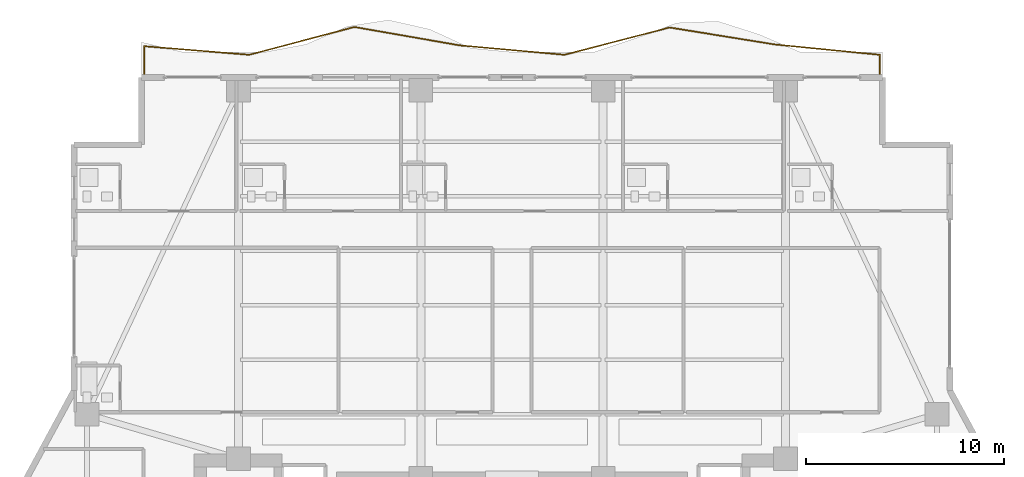
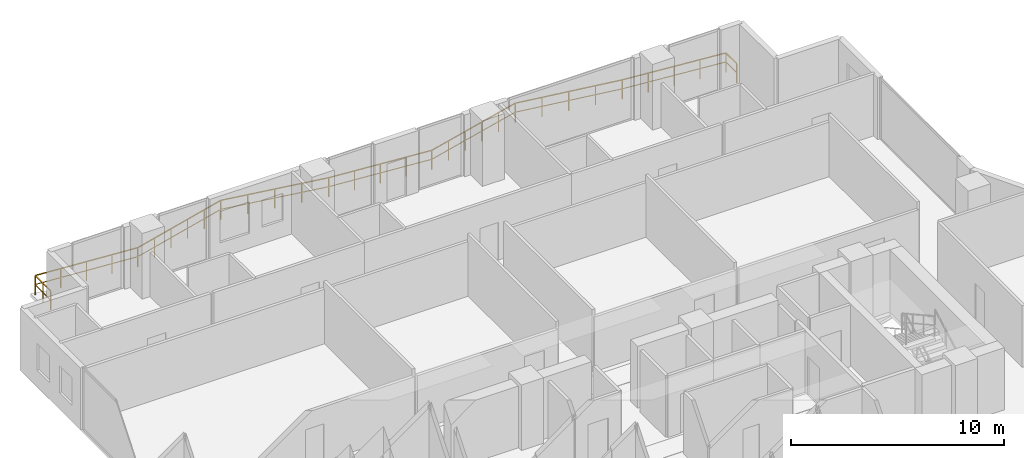
# One storey, part 31 of 32: 1 railing.
"""IFC4 building model written with IfcOpenShell, lengths in metres."""

from ifc_helpers import new_model, si_unit, direction, frame, origin, origin_2d, place, context, subcontext, project, spatial, rectangle, extrude, material, type_object, element, save


model = new_model("IFC4")

# Units and contexts
model_context = context("Model", 3, precision=1e-05, world=origin(), true_north=direction((0.0, 1.0)))
body_context = subcontext(model_context, "Body", "Model", "MODEL_VIEW")
ifc_project = project(units=[si_unit("LENGTHUNIT", "METRE"), si_unit("AREAUNIT", "SQUARE_METRE"), si_unit("VOLUMEUNIT", "CUBIC_METRE"), si_unit("PLANEANGLEUNIT", "RADIAN"), si_unit("MASSUNIT", "GRAM", prefix="KILO")], contexts=[model_context])

# Site, building, storey
site_placement = place(None, origin())
site = spatial("IfcSite", under=ifc_project, at=site_placement, CompositionType="ELEMENT")
building_placement = place(site_placement, origin())
building = spatial("IfcBuilding", under=site, at=building_placement, Name="Zuhayl Quay Hotel", CompositionType="ELEMENT")
storey_placement = place(building_placement, frame((0.0, 0.0, 188.64990234375)))
storey = spatial("IfcBuildingStorey", under=building, at=storey_placement, Name="L47", CompositionType="ELEMENT", Elevation=188.64990234375)

# Railing
ifc_material = material(Name="Anodised Aluminium and Laminated Glass", Category="aluminium")
railing_type = type_object("IfcRailingType", Name="RL_EXT_BAL_1100", PredefinedType="BALUSTRADE", material=ifc_material)
railing_placement = place(storey_placement, frame((-18.56005859375, 33.719970703125, 0.0)))
element("IfcRailing", 1, at=railing_placement, inside=storey, type_object=railing_type, Name="L47 Balcony and Terrace Guard GR_L47_BAL_N", PredefinedType="BALUSTRADE", context=body_context, shape_type="SweptSolid", body=[
    extrude(rectangle(XDim=0.048095703125, YDim=0.048095703125, at=origin_2d()), frame((0.0, 0.0, 1.09619140625), z_axis=(0.0, 1.0, 0.0), x_axis=(-1.0, 0.0, 0.0)), (0.0, 0.0, 1.0), 1.4521484375),
    extrude(rectangle(XDim=0.0361328125, YDim=0.0361328125, at=origin_2d()), frame((0.0, 0.0, 0.58251953125), z_axis=(0.0, 1.0, 0.0), x_axis=(-1.0, 0.0, 0.0)), (0.0, 0.0, 1.0), 1.4521484375),
    extrude(rectangle(XDim=0.048095703125, YDim=0.048095703125, at=origin_2d()), frame((0.0, 1.4521484375, 1.09619140625), z_axis=(0.996696300173, -0.081218749197, 0.0), x_axis=(0.081218749197, 0.996696300173, 0.0)), (0.0, 0.0, 1.0), 5.320556640625),
    extrude(rectangle(XDim=0.0361328125, YDim=0.0361328125, at=origin_2d()), frame((0.0, 1.4521484375, 0.58251953125), z_axis=(0.996696300173, -0.081218749197, 0.0), x_axis=(0.081218749197, 0.996696300173, 0.0)), (0.0, 0.0, 1.0), 5.320556640625),
    extrude(rectangle(XDim=0.048095703125, YDim=0.048095703125, at=origin_2d()), frame((5.302978515625, 1.02001953125, 1.09619140625), z_axis=(0.966709761246, 0.255875433582, 0.0), x_axis=(-0.255875433582, 0.966709761246, 0.0)), (0.0, 0.0, 1.0), 5.4853515625),
    extrude(rectangle(XDim=0.0361328125, YDim=0.0361328125, at=origin_2d()), frame((5.302978515625, 1.02001953125, 0.58251953125), z_axis=(0.966709761246, 0.255875433582, 0.0), x_axis=(-0.255875433582, 0.966709761246, 0.0)), (0.0, 0.0, 1.0), 5.4853515625),
    extrude(rectangle(XDim=0.048095703125, YDim=0.048095703125, at=origin_2d()), frame((10.605712890625, 2.423583984375, 1.09619140625), z_axis=(0.985070291459, -0.17215260929, 0.0), x_axis=(0.17215260929, 0.985070291459, 0.0)), (0.0, 0.0, 1.0), 5.38330078125),
    extrude(rectangle(XDim=0.0361328125, YDim=0.0361328125, at=origin_2d()), frame((10.605712890625, 2.423583984375, 0.58251953125), z_axis=(0.985070291459, -0.17215260929, 0.0), x_axis=(0.17215260929, 0.985070291459, 0.0)), (0.0, 0.0, 1.0), 5.38330078125),
    extrude(rectangle(XDim=0.048095703125, YDim=0.048095703125, at=origin_2d()), frame((15.90869140625, 1.496826171875, 1.09619140625), z_axis=(0.995981804383, -0.089555822466, 0.0), x_axis=(0.089555822466, 0.995981804383, 0.0)), (0.0, 0.0, 1.0), 5.32421875),
    extrude(rectangle(XDim=0.0361328125, YDim=0.0361328125, at=origin_2d()), frame((15.90869140625, 1.496826171875, 0.58251953125), z_axis=(0.995981804383, -0.089555822466, 0.0), x_axis=(0.089555822466, 0.995981804383, 0.0)), (0.0, 0.0, 1.0), 5.32421875),
    extrude(rectangle(XDim=0.048095703125, YDim=0.048095703125, at=origin_2d()), frame((21.21142578125, 1.02001953125, 1.09619140625), z_axis=(0.967870887983, 0.25144769674, 0.0), x_axis=(-0.25144769674, 0.967870887983, 0.0)), (0.0, 0.0, 1.0), 5.47900390625),
    extrude(rectangle(XDim=0.0361328125, YDim=0.0361328125, at=origin_2d()), frame((21.21142578125, 1.02001953125, 0.58251953125), z_axis=(0.967870887983, 0.25144769674, 0.0), x_axis=(-0.25144769674, 0.967870887983, 0.0)), (0.0, 0.0, 1.0), 5.47900390625),
    extrude(rectangle(XDim=0.048095703125, YDim=0.048095703125, at=origin_2d()), frame((26.514404296875, 2.397705078125, 1.09619140625), z_axis=(0.98722129112, -0.15935533364, 0.0), x_axis=(0.15935533364, 0.98722129112, 0.0)), (0.0, 0.0, 1.0), 5.371337890625),
    extrude(rectangle(XDim=0.0361328125, YDim=0.0361328125, at=origin_2d()), frame((26.514404296875, 2.397705078125, 0.58251953125), z_axis=(0.98722129112, -0.15935533364, 0.0), x_axis=(0.15935533364, 0.98722129112, 0.0)), (0.0, 0.0, 1.0), 5.371337890625),
    extrude(rectangle(XDim=0.048095703125, YDim=0.048095703125, at=origin_2d()), frame((31.817138671875, 1.541748046875, 1.09619140625), z_axis=(0.995195142309, -0.097911330929, 0.0), x_axis=(0.097911330929, 0.995195142309, 0.0)), (0.0, 0.0, 1.0), 5.32861328125),
    extrude(rectangle(XDim=0.0361328125, YDim=0.0361328125, at=origin_2d()), frame((31.817138671875, 1.541748046875, 0.58251953125), z_axis=(0.995195142309, -0.097911330929, 0.0), x_axis=(0.097911330929, 0.995195142309, 0.0)), (0.0, 0.0, 1.0), 5.32861328125),
    extrude(rectangle(XDim=0.048095703125, YDim=0.048095703125, at=origin_2d()), frame((37.1201171875, 1.02001953125, 1.09619140625), z_axis=(0.0, -1.0, 0.0), x_axis=(1.0, 0.0, 0.0)), (0.0, 0.0, 1.0), 1.02001953125),
    extrude(rectangle(XDim=0.0361328125, YDim=0.0361328125, at=origin_2d()), frame((37.1201171875, 1.02001953125, 0.58251953125), z_axis=(0.0, -1.0, 0.0), x_axis=(1.0, 0.0, 0.0)), (0.0, 0.0, 1.0), 1.02001953125),
    extrude(rectangle(XDim=0.0419921875, YDim=0.0419921875, at=origin_2d()), origin(), (0.0, 0.0, 1.0), 1.072021484375),
    extrude(rectangle(XDim=0.0419921875, YDim=0.0419921875, at=origin_2d()), frame((0.0, 0.72607421875, 0.0)), (0.0, 0.0, 1.0), 1.072021484375),
    extrude(rectangle(XDim=0.0419921875, YDim=0.0419921875, at=origin_2d()), frame((0.0, 1.4521484375, 0.0)), (0.0, 0.0, 1.0), 1.072021484375),
    extrude(rectangle(XDim=0.0419921875, YDim=0.0419921875, at=origin_2d()), frame((1.32568359375, 1.34423828125, 0.0)), (0.0, 0.0, 1.0), 1.072021484375),
    extrude(rectangle(XDim=0.0419921875, YDim=0.0419921875, at=origin_2d()), frame((2.6513671875, 1.236083984375, 0.0)), (0.0, 0.0, 1.0), 1.072021484375),
    extrude(rectangle(XDim=0.0419921875, YDim=0.0419921875, at=origin_2d()), frame((3.977294921875, 1.1279296875, 0.0)), (0.0, 0.0, 1.0), 1.072021484375),
    extrude(rectangle(XDim=0.0419921875, YDim=0.0419921875, at=origin_2d()), frame((5.302978515625, 1.02001953125, 0.0)), (0.0, 0.0, 1.0), 1.072021484375),
    extrude(rectangle(XDim=0.0419921875, YDim=0.0419921875, at=origin_2d()), frame((6.363525390625, 1.30078125, 0.0)), (0.0, 0.0, 1.0), 1.072021484375),
    extrude(rectangle(XDim=0.0419921875, YDim=0.0419921875, at=origin_2d()), frame((7.424072265625, 1.58154296875, 0.0)), (0.0, 0.0, 1.0), 1.072021484375),
    extrude(rectangle(XDim=0.0419921875, YDim=0.0419921875, at=origin_2d()), frame((8.484619140625, 1.862060546875, 0.0)), (0.0, 0.0, 1.0), 1.072021484375),
    extrude(rectangle(XDim=0.0419921875, YDim=0.0419921875, at=origin_2d()), frame((9.545166015625, 2.142822265625, 0.0)), (0.0, 0.0, 1.0), 1.072021484375),
    extrude(rectangle(XDim=0.0419921875, YDim=0.0419921875, at=origin_2d()), frame((10.605712890625, 2.423583984375, 0.0)), (0.0, 0.0, 1.0), 1.072021484375),
    extrude(rectangle(XDim=0.0419921875, YDim=0.0419921875, at=origin_2d()), frame((11.931396484375, 2.19189453125, 0.0)), (0.0, 0.0, 1.0), 1.072021484375),
    extrude(rectangle(XDim=0.0419921875, YDim=0.0419921875, at=origin_2d()), frame((13.25732421875, 1.960205078125, 0.0)), (0.0, 0.0, 1.0), 1.072021484375),
    extrude(rectangle(XDim=0.0419921875, YDim=0.0419921875, at=origin_2d()), frame((14.5830078125, 1.728515625, 0.0)), (0.0, 0.0, 1.0), 1.072021484375),
    extrude(rectangle(XDim=0.0419921875, YDim=0.0419921875, at=origin_2d()), frame((15.90869140625, 1.496826171875, 0.0)), (0.0, 0.0, 1.0), 1.072021484375),
    extrude(rectangle(XDim=0.0419921875, YDim=0.0419921875, at=origin_2d()), frame((17.234375, 1.377685546875, 0.0)), (0.0, 0.0, 1.0), 1.072021484375),
    extrude(rectangle(XDim=0.0419921875, YDim=0.0419921875, at=origin_2d()), frame((18.56005859375, 1.25830078125, 0.0)), (0.0, 0.0, 1.0), 1.072021484375),
    extrude(rectangle(XDim=0.0419921875, YDim=0.0419921875, at=origin_2d()), frame((19.8857421875, 1.13916015625, 0.0)), (0.0, 0.0, 1.0), 1.072021484375),
    extrude(rectangle(XDim=0.0419921875, YDim=0.0419921875, at=origin_2d()), frame((21.21142578125, 1.02001953125, 0.0)), (0.0, 0.0, 1.0), 1.072021484375),
    extrude(rectangle(XDim=0.0419921875, YDim=0.0419921875, at=origin_2d()), frame((22.27197265625, 1.295654296875, 0.0)), (0.0, 0.0, 1.0), 1.072021484375),
    extrude(rectangle(XDim=0.0419921875, YDim=0.0419921875, at=origin_2d()), frame((23.33251953125, 1.571044921875, 0.0)), (0.0, 0.0, 1.0), 1.072021484375),
    extrude(rectangle(XDim=0.0419921875, YDim=0.0419921875, at=origin_2d()), frame((24.393310546875, 1.8466796875, 0.0)), (0.0, 0.0, 1.0), 1.072021484375),
    extrude(rectangle(XDim=0.0419921875, YDim=0.0419921875, at=origin_2d()), frame((25.453857421875, 2.1220703125, 0.0)), (0.0, 0.0, 1.0), 1.072021484375),
    extrude(rectangle(XDim=0.0419921875, YDim=0.0419921875, at=origin_2d()), frame((26.514404296875, 2.397705078125, 0.0)), (0.0, 0.0, 1.0), 1.072021484375),
    extrude(rectangle(XDim=0.0419921875, YDim=0.0419921875, at=origin_2d()), frame((27.840087890625, 2.18359375, 0.0)), (0.0, 0.0, 1.0), 1.072021484375),
    extrude(rectangle(XDim=0.0419921875, YDim=0.0419921875, at=origin_2d()), frame((29.165771484375, 1.9697265625, 0.0)), (0.0, 0.0, 1.0), 1.072021484375),
    extrude(rectangle(XDim=0.0419921875, YDim=0.0419921875, at=origin_2d()), frame((30.491455078125, 1.755859375, 0.0)), (0.0, 0.0, 1.0), 1.072021484375),
    extrude(rectangle(XDim=0.0419921875, YDim=0.0419921875, at=origin_2d()), frame((31.817138671875, 1.541748046875, 0.0)), (0.0, 0.0, 1.0), 1.072021484375),
    extrude(rectangle(XDim=0.0419921875, YDim=0.0419921875, at=origin_2d()), frame((33.142822265625, 1.411376953125, 0.0)), (0.0, 0.0, 1.0), 1.072021484375),
    extrude(rectangle(XDim=0.0419921875, YDim=0.0419921875, at=origin_2d()), frame((34.46875, 1.28076171875, 0.0)), (0.0, 0.0, 1.0), 1.072021484375),
    extrude(rectangle(XDim=0.0419921875, YDim=0.0419921875, at=origin_2d()), frame((35.79443359375, 1.150390625, 0.0)), (0.0, 0.0, 1.0), 1.072021484375),
    extrude(rectangle(XDim=0.0419921875, YDim=0.0419921875, at=origin_2d()), frame((37.1201171875, 1.02001953125, 0.0)), (0.0, 0.0, 1.0), 1.072021484375),
    extrude(rectangle(XDim=0.0419921875, YDim=0.0419921875, at=origin_2d()), frame((37.1201171875, 0.0, 0.0)), (0.0, 0.0, 1.0), 1.072021484375),
])

save(model, "model.ifc")
